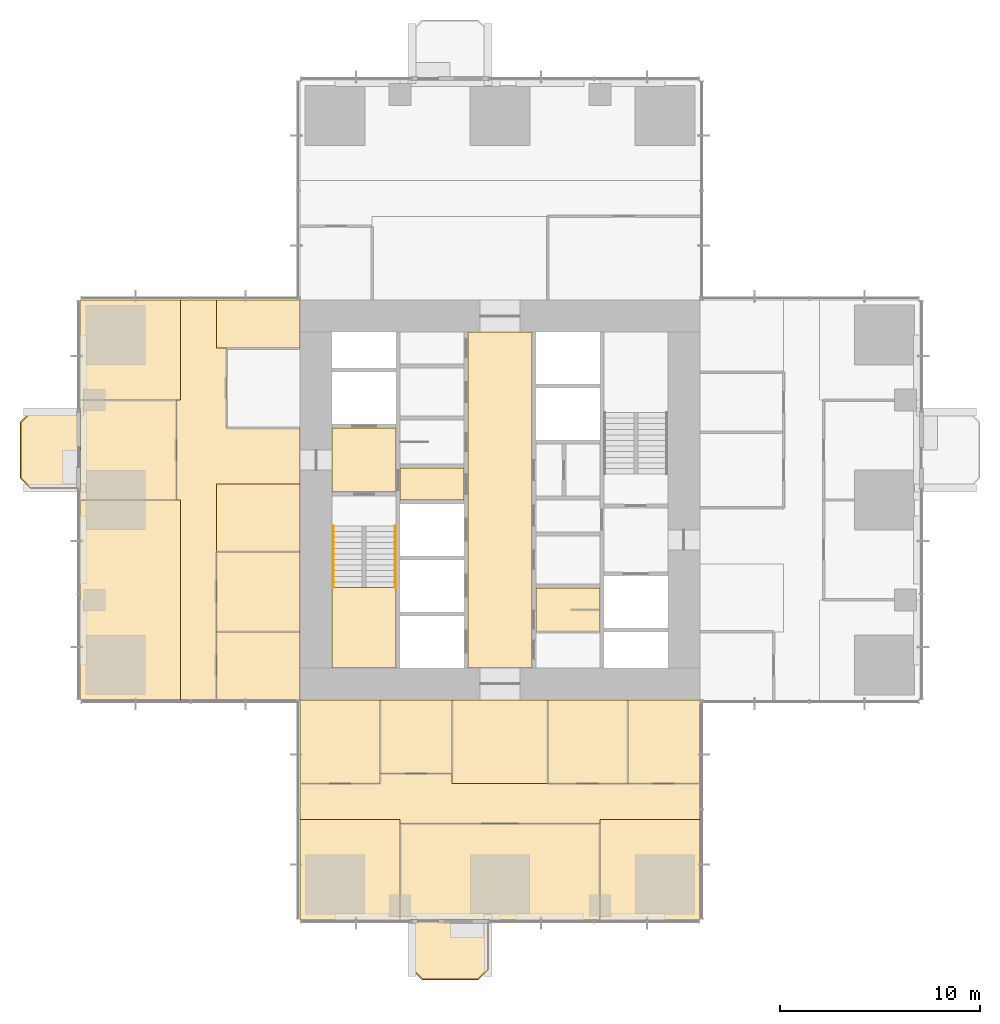
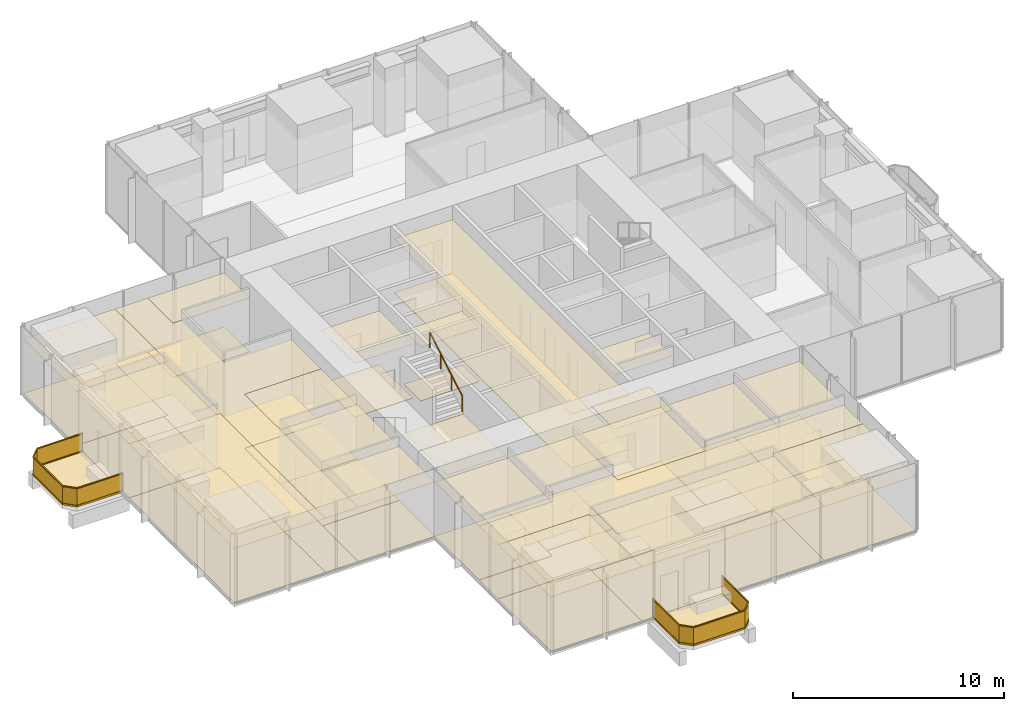
# One storey, part 11 of 13: 45 coverings, 4 railings.
"""IFC4 building model written with IfcOpenShell, lengths in metres."""

from ifc_helpers import new_model, si_unit, direction, frame, origin, origin_2d, place, context, subcontext, project, spatial, polyline, rectangle, circle, outline, extrude, material, layer, layer_set, type_object, element, save


model = new_model("IFC4")

# Units and contexts
model_context = context("Model", 3, precision=1e-05, world=origin(), true_north=direction((0.0, 1.0)))
body_context = subcontext(model_context, "Body", "Model", "MODEL_VIEW")
ifc_project = project(units=[si_unit("LENGTHUNIT", "METRE"), si_unit("AREAUNIT", "SQUARE_METRE"), si_unit("VOLUMEUNIT", "CUBIC_METRE"), si_unit("PLANEANGLEUNIT", "RADIAN"), si_unit("MASSUNIT", "GRAM", prefix="KILO")], contexts=[model_context])

# Site, building, storey
site_placement = place(None, origin())
site = spatial("IfcSite", under=ifc_project, at=site_placement, CompositionType="ELEMENT")
building_placement = place(site_placement, origin())
building = spatial("IfcBuilding", under=site, at=building_placement, Name="Svetlomir Tower", CompositionType="ELEMENT")
storey_placement = place(building_placement, frame((0.0, 0.0, 148.5)))
storey = spatial("IfcBuildingStorey", under=building, at=storey_placement, Name="L35", CompositionType="ELEMENT", Elevation=148.5)

# Railings
ifc_material_1 = material(Name="Bronze anodised aluminium and laminated glass", Category="aluminium")
railing_type_1 = type_object("IfcRailingType", Name="BALCONY GUARD GR1 1100", PredefinedType="GUARDRAIL", material=ifc_material_1)
railing_1_placement = place(storey_placement, frame((16.60009765625, 0.0, 0.0)))
element("IfcRailing", 1, at=railing_1_placement, inside=storey, type_object=railing_type_1, Name="Balcony guard S L35", PredefinedType="GUARDRAIL", context=body_context, shape_type="SweptSolid", body=[
    extrude(rectangle(XDim=0.06005859375, YDim=0.10009765625, at=origin_2d()), frame((0.0, 0.0, 0.050048828125), z_axis=(0.0, -1.0, 0.0), x_axis=(1.0, 0.0, 0.0)), (0.0, 0.0, 1.0), 2.5),
    extrude(rectangle(XDim=0.021484375, YDim=0.960205078125, at=origin_2d()), frame((0.0, 0.0, 0.580078125), z_axis=(0.0, -1.0, 0.0), x_axis=(1.0, 0.0, 0.0)), (0.0, 0.0, 1.0), 2.5),
    extrude(rectangle(XDim=0.06005859375, YDim=0.0400390625, at=origin_2d()), frame((0.0, 0.0, 1.080078125), z_axis=(0.0, -1.0, 0.0), x_axis=(1.0, 0.0, 0.0)), (0.0, 0.0, 1.0), 2.5),
    extrude(rectangle(XDim=0.06005859375, YDim=0.10009765625, at=origin_2d()), frame((0.0, -2.5, 0.050048828125), z_axis=(0.707106781187, -0.707106781187, 0.0), x_axis=(0.707106781187, 0.707106781187, 0.0)), (0.0, 0.0, 1.0), 0.70703125),
    extrude(rectangle(XDim=0.021484375, YDim=0.960205078125, at=origin_2d()), frame((0.0, -2.5, 0.580078125), z_axis=(0.707106781187, -0.707106781187, 0.0), x_axis=(0.707106781187, 0.707106781187, 0.0)), (0.0, 0.0, 1.0), 0.70703125),
    extrude(rectangle(XDim=0.06005859375, YDim=0.0400390625, at=origin_2d()), frame((0.0, -2.5, 1.080078125), z_axis=(0.707106781187, -0.707106781187, 0.0), x_axis=(0.707106781187, 0.707106781187, 0.0)), (0.0, 0.0, 1.0), 0.70703125),
    extrude(rectangle(XDim=0.06005859375, YDim=0.10009765625, at=origin_2d()), frame((0.5, -3.0, 0.050048828125), z_axis=(1.0, 0.0, 0.0), x_axis=(0.0, 1.0, 0.0)), (0.0, 0.0, 1.0), 2.7998046875),
    extrude(rectangle(XDim=0.021484375, YDim=0.960205078125, at=origin_2d()), frame((0.5, -3.0, 0.580078125), z_axis=(1.0, 0.0, 0.0), x_axis=(0.0, 1.0, 0.0)), (0.0, 0.0, 1.0), 2.7998046875),
    extrude(rectangle(XDim=0.06005859375, YDim=0.0400390625, at=origin_2d()), frame((0.5, -3.0, 1.080078125), z_axis=(1.0, 0.0, 0.0), x_axis=(0.0, 1.0, 0.0)), (0.0, 0.0, 1.0), 2.7998046875),
    extrude(rectangle(XDim=0.06005859375, YDim=0.10009765625, at=origin_2d()), frame((3.2998046875, -3.0, 0.050048828125), z_axis=(0.707106781187, 0.707106781187, 0.0), x_axis=(-0.707106781187, 0.707106781187, 0.0)), (0.0, 0.0, 1.0), 0.70703125),
    extrude(rectangle(XDim=0.021484375, YDim=0.960205078125, at=origin_2d()), frame((3.2998046875, -3.0, 0.580078125), z_axis=(0.707106781187, 0.707106781187, 0.0), x_axis=(-0.707106781187, 0.707106781187, 0.0)), (0.0, 0.0, 1.0), 0.70703125),
    extrude(rectangle(XDim=0.06005859375, YDim=0.0400390625, at=origin_2d()), frame((3.2998046875, -3.0, 1.080078125), z_axis=(0.707106781187, 0.707106781187, 0.0), x_axis=(-0.707106781187, 0.707106781187, 0.0)), (0.0, 0.0, 1.0), 0.70703125),
    extrude(rectangle(XDim=0.06005859375, YDim=0.10009765625, at=origin_2d()), frame((3.7998046875, -2.5, 0.050048828125), z_axis=(0.0, 1.0, 0.0), x_axis=(-1.0, 0.0, 0.0)), (0.0, 0.0, 1.0), 2.5),
    extrude(rectangle(XDim=0.021484375, YDim=0.960205078125, at=origin_2d()), frame((3.7998046875, -2.5, 0.580078125), z_axis=(0.0, 1.0, 0.0), x_axis=(-1.0, 0.0, 0.0)), (0.0, 0.0, 1.0), 2.5),
    extrude(rectangle(XDim=0.06005859375, YDim=0.0400390625, at=origin_2d()), frame((3.7998046875, -2.5, 1.080078125), z_axis=(0.0, 1.0, 0.0), x_axis=(-1.0, 0.0, 0.0)), (0.0, 0.0, 1.0), 2.5),
])
railing_2_placement = place(storey_placement, frame((0.0, 25.39990234375, 0.0)))
element("IfcRailing", 2, at=railing_2_placement, inside=storey, type_object=railing_type_1, Name="Balcony guard W L35", PredefinedType="GUARDRAIL", context=body_context, shape_type="SweptSolid", body=[
    extrude(rectangle(XDim=0.06005859375, YDim=0.10009765625, at=origin_2d()), frame((0.0, 0.0, 0.050048828125), z_axis=(-1.0, 0.0, 0.0), x_axis=(0.0, -1.0, 0.0)), (0.0, 0.0, 1.0), 2.5),
    extrude(rectangle(XDim=0.021484375, YDim=0.960205078125, at=origin_2d()), frame((0.0, 0.0, 0.580078125), z_axis=(-1.0, 0.0, 0.0), x_axis=(0.0, -1.0, 0.0)), (0.0, 0.0, 1.0), 2.5),
    extrude(rectangle(XDim=0.06005859375, YDim=0.0400390625, at=origin_2d()), frame((0.0, 0.0, 1.080078125), z_axis=(-1.0, 0.0, 0.0), x_axis=(0.0, -1.0, 0.0)), (0.0, 0.0, 1.0), 2.5),
    extrude(rectangle(XDim=0.06005859375, YDim=0.10009765625, at=origin_2d()), frame((-2.5, 0.0, 0.050048828125), z_axis=(-0.707106781187, -0.707106781187, 0.0), x_axis=(0.707106781187, -0.707106781187, 0.0)), (0.0, 0.0, 1.0), 0.70703125),
    extrude(rectangle(XDim=0.021484375, YDim=0.960205078125, at=origin_2d()), frame((-2.5, 0.0, 0.580078125), z_axis=(-0.707106781187, -0.707106781187, 0.0), x_axis=(0.707106781187, -0.707106781187, 0.0)), (0.0, 0.0, 1.0), 0.70703125),
    extrude(rectangle(XDim=0.06005859375, YDim=0.0400390625, at=origin_2d()), frame((-2.5, 0.0, 1.080078125), z_axis=(-0.707106781187, -0.707106781187, 0.0), x_axis=(0.707106781187, -0.707106781187, 0.0)), (0.0, 0.0, 1.0), 0.70703125),
    extrude(rectangle(XDim=0.06005859375, YDim=0.10009765625, at=origin_2d()), frame((-3.0, -0.5, 0.050048828125), z_axis=(0.0, -1.0, 0.0), x_axis=(1.0, 0.0, 0.0)), (0.0, 0.0, 1.0), 2.7998046875),
    extrude(rectangle(XDim=0.021484375, YDim=0.960205078125, at=origin_2d()), frame((-3.0, -0.5, 0.580078125), z_axis=(0.0, -1.0, 0.0), x_axis=(1.0, 0.0, 0.0)), (0.0, 0.0, 1.0), 2.7998046875),
    extrude(rectangle(XDim=0.06005859375, YDim=0.0400390625, at=origin_2d()), frame((-3.0, -0.5, 1.080078125), z_axis=(0.0, -1.0, 0.0), x_axis=(1.0, 0.0, 0.0)), (0.0, 0.0, 1.0), 2.7998046875),
    extrude(rectangle(XDim=0.06005859375, YDim=0.10009765625, at=origin_2d()), frame((-3.0, -3.2998046875, 0.050048828125), z_axis=(0.707106781187, -0.707106781187, 0.0), x_axis=(0.707106781187, 0.707106781187, 0.0)), (0.0, 0.0, 1.0), 0.70703125),
    extrude(rectangle(XDim=0.021484375, YDim=0.960205078125, at=origin_2d()), frame((-3.0, -3.2998046875, 0.580078125), z_axis=(0.707106781187, -0.707106781187, 0.0), x_axis=(0.707106781187, 0.707106781187, 0.0)), (0.0, 0.0, 1.0), 0.70703125),
    extrude(rectangle(XDim=0.06005859375, YDim=0.0400390625, at=origin_2d()), frame((-3.0, -3.2998046875, 1.080078125), z_axis=(0.707106781187, -0.707106781187, 0.0), x_axis=(0.707106781187, 0.707106781187, 0.0)), (0.0, 0.0, 1.0), 0.70703125),
    extrude(rectangle(XDim=0.06005859375, YDim=0.10009765625, at=origin_2d()), frame((-2.5, -3.7998046875, 0.050048828125), z_axis=(1.0, 0.0, 0.0), x_axis=(0.0, 1.0, 0.0)), (0.0, 0.0, 1.0), 2.5),
    extrude(rectangle(XDim=0.021484375, YDim=0.960205078125, at=origin_2d()), frame((-2.5, -3.7998046875, 0.580078125), z_axis=(1.0, 0.0, 0.0), x_axis=(0.0, 1.0, 0.0)), (0.0, 0.0, 1.0), 2.5),
    extrude(rectangle(XDim=0.06005859375, YDim=0.0400390625, at=origin_2d()), frame((-2.5, -3.7998046875, 1.080078125), z_axis=(1.0, 0.0, 0.0), x_axis=(0.0, 1.0, 0.0)), (0.0, 0.0, 1.0), 2.5),
])

# Coverings
ifc_material_2 = material(Name="Granite paving slabs on pedestals", Category="masonry")
ifc_layer_1 = layer(ifc_material_2, 0.0400390625)
ifc_layer_set_1 = layer_set([ifc_layer_1], Name="Granite paving slabs on pedestals")
covering_type_1 = type_object("IfcCoveringType", Name="BALCONY PAVING 40", PredefinedType="USERDEFINED", material=ifc_layer_set_1)
covering_1_placement = place(storey_placement, origin())
element("IfcCovering", 3, at=covering_1_placement, inside=storey, type_object=covering_type_1, Name="Balcony paving S L35", ObjectType="BALCONY PAVING", PredefinedType="USERDEFINED", context=body_context, shape_type="SweptSolid", body=[
    extrude(outline(polyline([(16.60009765625, -2.5), (17.10009765625, -3.0), (19.89990234375, -3.0), (20.39990234375, -2.5), (20.39990234375, 0.0), (16.60009765625, 0.0), (16.60009765625, -2.5)])), origin(), (0.0, 0.0, 1.0), 0.0400390625),
])
covering_2_placement = place(storey_placement, origin())
element("IfcCovering", 4, at=covering_2_placement, inside=storey, type_object=covering_type_1, Name="Balcony paving W L35", ObjectType="BALCONY PAVING", PredefinedType="USERDEFINED", context=body_context, shape_type="SweptSolid", body=[
    extrude(outline(polyline([(-2.5, 21.60009765625), (0.0, 21.60009765625), (0.0, 25.39990234375), (-2.5, 25.39990234375), (-3.0, 24.89990234375), (-3.0, 22.10009765625), (-2.5, 21.60009765625)])), origin(), (0.0, 0.0, 1.0), 0.0400390625),
])
ifc_material_3 = material(Name="Carpet tile", Category="textile")
ifc_layer_2 = layer(ifc_material_3, 0.010009765625)
ifc_layer_set_2 = layer_set([ifc_layer_2], Name="Carpet tile")
covering_type_2 = type_object("IfcCoveringType", Name="CARPET TILE FLOOR 10", PredefinedType="FLOORING", material=ifc_layer_set_2)
covering_3_placement = place(storey_placement, origin())
element("IfcCovering", 5, at=covering_3_placement, inside=storey, type_object=covering_type_2, Name="Floor finish L35-16", PredefinedType="FLOORING", context=body_context, shape_type="SweptSolid", body=[
    extrude(outline(polyline([(11.0, 6.800048828125), (15.0, 6.800048828125), (15.0, 11.0), (11.0, 11.0), (11.0, 6.800048828125)])), origin(), (0.0, 0.0, 1.0), 0.010009765625),
])
covering_4_placement = place(storey_placement, origin())
element("IfcCovering", 6, at=covering_4_placement, inside=storey, type_object=covering_type_2, Name="Floor finish L35-17", PredefinedType="FLOORING", context=body_context, shape_type="SweptSolid", body=[
    extrude(outline(polyline([(15.0, 7.300048828125), (18.60009765625, 7.300048828125), (18.60009765625, 11.0), (15.0, 11.0), (15.0, 7.300048828125)])), origin(), (0.0, 0.0, 1.0), 0.010009765625),
])
covering_5_placement = place(storey_placement, origin())
element("IfcCovering", 7, at=covering_5_placement, inside=storey, type_object=covering_type_2, Name="Floor finish L35-18", PredefinedType="FLOORING", context=body_context, shape_type="SweptSolid", body=[
    extrude(outline(polyline([(23.39990234375, 6.800048828125), (27.39990234375, 6.800048828125), (27.39990234375, 11.0), (23.39990234375, 11.0), (23.39990234375, 6.800048828125)])), origin(), (0.0, 0.0, 1.0), 0.010009765625),
])
covering_6_placement = place(storey_placement, origin())
element("IfcCovering", 8, at=covering_6_placement, inside=storey, type_object=covering_type_2, Name="Floor finish L35-19", PredefinedType="FLOORING", context=body_context, shape_type="SweptSolid", body=[
    extrude(outline(polyline([(27.39990234375, 6.800048828125), (31.0, 6.800048828125), (31.0, 11.0), (27.39990234375, 11.0), (27.39990234375, 6.800048828125)])), origin(), (0.0, 0.0, 1.0), 0.010009765625),
])
covering_7_placement = place(storey_placement, origin())
element("IfcCovering", 9, at=covering_7_placement, inside=storey, type_object=covering_type_2, Name="Floor finish L35-20", PredefinedType="FLOORING", context=body_context, shape_type="SweptSolid", body=[
    extrude(outline(polyline([(16.0, 0.0), (26.0, 0.0), (26.0, 4.800048828125), (16.0, 4.800048828125), (16.0, 0.0)])), origin(), (0.0, 0.0, 1.0), 0.010009765625),
])
covering_8_placement = place(storey_placement, origin())
element("IfcCovering", 10, at=covering_8_placement, inside=storey, type_object=covering_type_2, Name="Floor finish L35-28", PredefinedType="FLOORING", context=body_context, shape_type="SweptSolid", body=[
    extrude(outline(polyline([(6.800048828125, 11.0), (11.0, 11.0), (11.0, 14.39990234375), (6.800048828125, 14.39990234375), (6.800048828125, 11.0)])), origin(), (0.0, 0.0, 1.0), 0.010009765625),
])
covering_9_placement = place(storey_placement, origin())
element("IfcCovering", 11, at=covering_9_placement, inside=storey, type_object=covering_type_2, Name="Floor finish L35-29", PredefinedType="FLOORING", context=body_context, shape_type="SweptSolid", body=[
    extrude(outline(polyline([(6.800048828125, 14.39990234375), (11.0, 14.39990234375), (11.0, 18.39990234375), (6.800048828125, 18.39990234375), (6.800048828125, 14.39990234375)])), origin(), (0.0, 0.0, 1.0), 0.010009765625),
])
covering_10_placement = place(storey_placement, origin())
element("IfcCovering", 12, at=covering_10_placement, inside=storey, type_object=covering_type_2, Name="Floor finish L35-31", PredefinedType="FLOORING", context=body_context, shape_type="SweptSolid", body=[
    extrude(outline(polyline([(0.0, 21.0), (4.800048828125, 21.0), (4.800048828125, 26.0), (0.0, 26.0), (0.0, 21.0)])), origin(), (0.0, 0.0, 1.0), 0.010009765625),
])
covering_11_placement = place(storey_placement, origin())
element("IfcCovering", 13, at=covering_11_placement, inside=storey, type_object=covering_type_2, Name="Floor finish L35-32", PredefinedType="FLOORING", context=body_context, shape_type="SweptSolid", body=[
    extrude(outline(polyline([(18.60009765625, 7.300048828125), (18.60009765625, 6.800048828125), (31.0, 6.800048828125), (31.0, 5.0), (26.0, 5.0), (26.0, 4.800048828125), (16.0, 4.800048828125), (16.0, 5.0), (11.0, 5.0), (11.0, 6.800048828125), (15.0, 6.800048828125), (15.0, 7.300048828125), (18.60009765625, 7.300048828125)])), origin(), (0.0, 0.0, 1.0), 0.010009765625),
])
covering_12_placement = place(storey_placement, origin())
element("IfcCovering", 14, at=covering_12_placement, inside=storey, type_object=covering_type_2, Name="Floor finish L35-33", PredefinedType="FLOORING", context=body_context, shape_type="SweptSolid", body=[
    extrude(outline(polyline([(6.800048828125, 21.800048828125), (6.800048828125, 11.0), (5.0, 11.0), (5.0, 21.0), (4.800048828125, 21.0), (4.800048828125, 26.0), (5.0, 26.0), (5.0, 31.0), (6.800048828125, 31.0), (6.800048828125, 28.60009765625), (7.300048828125, 28.60009765625), (7.300048828125, 24.60009765625), (11.0, 24.60009765625), (11.0, 21.800048828125), (6.800048828125, 21.800048828125)])), origin(), (0.0, 0.0, 1.0), 0.010009765625),
])
covering_13_placement = place(storey_placement, origin())
element("IfcCovering", 15, at=covering_13_placement, inside=storey, type_object=covering_type_2, Name="Floor finish L35-36", PredefinedType="FLOORING", context=body_context, shape_type="SweptSolid", body=[
    extrude(outline(polyline([(16.0, 5.0), (16.0, 0.0), (11.0, 0.0), (11.0, 5.0), (16.0, 5.0)])), origin(), (0.0, 0.0, 1.0), 0.010009765625),
])
covering_14_placement = place(storey_placement, origin())
element("IfcCovering", 16, at=covering_14_placement, inside=storey, type_object=covering_type_2, Name="Floor finish L35-37", PredefinedType="FLOORING", context=body_context, shape_type="SweptSolid", body=[
    extrude(outline(polyline([(23.39990234375, 11.0), (23.39990234375, 6.800048828125), (18.60009765625, 6.800048828125), (18.60009765625, 11.0), (23.39990234375, 11.0)])), origin(), (0.0, 0.0, 1.0), 0.010009765625),
])
covering_15_placement = place(storey_placement, origin())
element("IfcCovering", 17, at=covering_15_placement, inside=storey, type_object=covering_type_2, Name="Floor finish L35-38", PredefinedType="FLOORING", context=body_context, shape_type="SweptSolid", body=[
    extrude(outline(polyline([(26.0, 0.0), (26.0, 5.0), (31.0, 5.0), (31.0, 0.0), (26.0, 0.0)])), origin(), (0.0, 0.0, 1.0), 0.010009765625),
])
covering_16_placement = place(storey_placement, origin())
element("IfcCovering", 18, at=covering_16_placement, inside=storey, type_object=covering_type_2, Name="Floor finish L35-45", PredefinedType="FLOORING", context=body_context, shape_type="SweptSolid", body=[
    extrude(outline(polyline([(5.0, 26.0), (0.0, 26.0), (0.0, 31.0), (5.0, 31.0), (5.0, 26.0)])), origin(), (0.0, 0.0, 1.0), 0.010009765625),
])
covering_17_placement = place(storey_placement, origin())
element("IfcCovering", 19, at=covering_17_placement, inside=storey, type_object=covering_type_2, Name="Floor finish L35-46", PredefinedType="FLOORING", context=body_context, shape_type="SweptSolid", body=[
    extrude(outline(polyline([(11.0, 28.60009765625), (6.800048828125, 28.60009765625), (6.800048828125, 31.0), (11.0, 31.0), (11.0, 28.60009765625)])), origin(), (0.0, 0.0, 1.0), 0.010009765625),
])
covering_18_placement = place(storey_placement, origin())
element("IfcCovering", 20, at=covering_18_placement, inside=storey, type_object=covering_type_2, Name="Floor finish L35-47", PredefinedType="FLOORING", context=body_context, shape_type="SweptSolid", body=[
    extrude(outline(polyline([(6.800048828125, 18.39990234375), (6.800048828125, 21.800048828125), (11.0, 21.800048828125), (11.0, 18.39990234375), (6.800048828125, 18.39990234375)])), origin(), (0.0, 0.0, 1.0), 0.010009765625),
])
covering_19_placement = place(storey_placement, origin())
element("IfcCovering", 21, at=covering_19_placement, inside=storey, type_object=covering_type_2, Name="Floor finish L35-48", PredefinedType="FLOORING", context=body_context, shape_type="SweptSolid", body=[
    extrude(outline(polyline([(0.0, 21.0), (5.0, 21.0), (5.0, 11.0), (0.0, 11.0), (0.0, 21.0)])), origin(), (0.0, 0.0, 1.0), 0.010009765625),
])
ifc_material_4 = material(Name="Ceramic floor tile", Category="ceramic")
ifc_layer_3 = layer(ifc_material_4, 0.014892578125)
ifc_layer_set_3 = layer_set([ifc_layer_3], Name="Ceramic floor tile")
covering_type_3 = type_object("IfcCoveringType", Name="CERAMIC TILE FLOOR 15", PredefinedType="FLOORING", material=ifc_layer_set_3)
covering_20_placement = place(storey_placement, origin())
element("IfcCovering", 22, at=covering_20_placement, inside=storey, type_object=covering_type_3, Name="Floor finish L35-09", PredefinedType="FLOORING", context=body_context, shape_type="SweptSolid", body=[
    extrude(outline(polyline([(22.800048828125, 14.39990234375), (26.0, 14.39990234375), (26.0, 16.60009765625), (22.800048828125, 16.60009765625), (22.800048828125, 14.39990234375)])), origin(), (0.0, 0.0, 1.0), 0.014892578125),
])

# Railings
ifc_material_5 = material(Name="Stainless steel", Category="steel")
railing_type_2 = type_object("IfcRailingType", Name="HANDRAIL HR1 900", PredefinedType="HANDRAIL", material=ifc_material_5)
railing_3_placement = place(storey_placement, frame((12.64990234375, 19.699951171875, 0.166748046875)))
element("IfcRailing", 23, at=railing_3_placement, inside=storey, type_object=railing_type_2, Name="Handrail S1 flight 1 L35", PredefinedType="HANDRAIL", context=body_context, shape_type="SweptSolid", body=[
    extrude(circle(Radius=0.02392578125, at=origin_2d()), frame((0.0, 0.0, 0.8759765625), z_axis=(0.0, -0.859290745958, 0.51148745235), x_axis=(1.0, 0.0, 0.0)), (0.0, 0.0, 1.0), 3.584228515625),
    extrude(circle(Radius=0.02099609375, at=origin_2d()), origin(), (0.0, 0.0, 1.0), 0.851806640625),
    extrude(circle(Radius=0.02099609375, at=origin_2d()), frame((0.0, -1.026611328125, 0.611083984375)), (0.0, 0.0, 1.0), 0.851806640625),
    extrude(circle(Radius=0.02099609375, at=origin_2d()), frame((0.0, -2.05322265625, 1.22216796875)), (0.0, 0.0, 1.0), 0.851806640625),
    extrude(circle(Radius=0.02099609375, at=origin_2d()), frame((0.0, -3.079833984375, 1.833251953125)), (0.0, 0.0, 1.0), 0.851806640625),
])
railing_4_placement = place(storey_placement, frame((15.75, 16.6201171875, 2.166748046875)))
element("IfcRailing", 24, at=railing_4_placement, inside=storey, type_object=railing_type_2, Name="Handrail S1 flight 2 L35", PredefinedType="HANDRAIL", context=body_context, shape_type="SweptSolid", body=[
    extrude(circle(Radius=0.02392578125, at=origin_2d()), frame((0.0, 0.0, 0.8759765625), z_axis=(0.0, 0.859290745958, 0.51148745235), x_axis=(-1.0, 0.0, 0.0)), (0.0, 0.0, 1.0), 3.584228515625),
    extrude(circle(Radius=0.02099609375, at=origin_2d()), origin(), (0.0, 0.0, 1.0), 0.851806640625),
    extrude(circle(Radius=0.02099609375, at=origin_2d()), frame((0.0, 1.026611328125, 0.611083984375)), (0.0, 0.0, 1.0), 0.851806640625),
    extrude(circle(Radius=0.02099609375, at=origin_2d()), frame((0.0, 2.05322265625, 1.22216796875)), (0.0, 0.0, 1.0), 0.851806640625),
    extrude(circle(Radius=0.02099609375, at=origin_2d()), frame((0.0, 3.079833984375, 1.833251953125)), (0.0, 0.0, 1.0), 0.851806640625),
])

# Coverings
ifc_material_6 = material(Name="Moisture resistant plasterboard ceiling", Category="gypsum")
ifc_layer_4 = layer(ifc_material_6, 0.012451171875)
ifc_layer_set_4 = layer_set([ifc_layer_4], Name="Moisture resistant plasterboard ceiling")
covering_type_4 = type_object("IfcCoveringType", Name="MOISTURE RESISTANT CEILING 12.5", PredefinedType="CEILING", material=ifc_layer_set_4)
covering_21_placement = place(storey_placement, frame((0.0, 0.0, 3.137451171875)))
element("IfcCovering", 25, at=covering_21_placement, inside=storey, type_object=covering_type_4, Name="Ceiling L35-09", PredefinedType="CEILING", context=body_context, shape_type="SweptSolid", body=[
    extrude(outline(polyline([(22.800048828125, 14.39990234375), (26.0, 14.39990234375), (26.0, 16.60009765625), (22.800048828125, 16.60009765625), (22.800048828125, 14.39990234375)])), origin(), (0.0, 0.0, 1.0), 0.012451171875),
])
ifc_material_7 = material(Name="Gypsum plasterboard ceiling", Category="gypsum")
ifc_layer_5 = layer(ifc_material_7, 0.014892578125)
ifc_layer_set_5 = layer_set([ifc_layer_5], Name="Gypsum plasterboard ceiling")
covering_type_5 = type_object("IfcCoveringType", Name="PLASTERBOARD CEILING 15", PredefinedType="CEILING", material=ifc_layer_set_5)
covering_22_placement = place(storey_placement, frame((0.0, 0.0, 3.135009765625)))
element("IfcCovering", 26, at=covering_22_placement, inside=storey, type_object=covering_type_5, Name="Ceiling L35-02", PredefinedType="CEILING", context=body_context, shape_type="SweptSolid", body=[
    extrude(outline(polyline([(12.60009765625, 21.39990234375), (15.800048828125, 21.39990234375), (15.800048828125, 24.60009765625), (12.60009765625, 24.60009765625), (12.60009765625, 21.39990234375)])), origin(), (0.0, 0.0, 1.0), 0.014892578125),
])
covering_23_placement = place(storey_placement, frame((0.0, 0.0, 3.135009765625)))
element("IfcCovering", 27, at=covering_23_placement, inside=storey, type_object=covering_type_5, Name="Ceiling L35-03", PredefinedType="CEILING", context=body_context, shape_type="SweptSolid", body=[
    extrude(outline(polyline([(16.0, 21.0), (19.199951171875, 21.0), (19.199951171875, 22.60009765625), (16.0, 22.60009765625), (16.0, 21.0)])), origin(), (0.0, 0.0, 1.0), 0.014892578125),
])
covering_24_placement = place(storey_placement, frame((0.0, 0.0, 3.135009765625)))
element("IfcCovering", 28, at=covering_24_placement, inside=storey, type_object=covering_type_5, Name="Ceiling L35-07", PredefinedType="CEILING", context=body_context, shape_type="SweptSolid", body=[
    extrude(outline(polyline([(19.39990234375, 12.60009765625), (22.60009765625, 12.60009765625), (22.60009765625, 29.39990234375), (19.39990234375, 29.39990234375), (19.39990234375, 12.60009765625)])), origin(), (0.0, 0.0, 1.0), 0.014892578125),
])
ifc_material_8 = material(Name="Studded rubber floor finish", Category="rubber")
ifc_layer_6 = layer(ifc_material_8, 0.006103515625)
ifc_layer_set_6 = layer_set([ifc_layer_6], Name="Studded rubber floor finish")
covering_type_6 = type_object("IfcCoveringType", Name="RUBBER LANDING FINISH 6", PredefinedType="FLOORING", material=ifc_layer_set_6)
covering_25_placement = place(storey_placement, frame((0.0, 0.0, 2.0)))
element("IfcCovering", 29, at=covering_25_placement, inside=storey, type_object=covering_type_6, Name="Stair S1 landing finish L35", PredefinedType="FLOORING", context=body_context, shape_type="SweptSolid", body=[
    extrude(outline(polyline([(12.60009765625, 12.60009765625), (15.800048828125, 12.60009765625), (15.800048828125, 16.6201171875), (12.60009765625, 16.6201171875), (12.60009765625, 12.60009765625)])), origin(), (0.0, 0.0, 1.0), 0.006103515625),
])
ifc_material_9 = material(Name="Mineral fibre ceiling tile", Category="mineral")
ifc_layer_7 = layer(ifc_material_9, 0.02001953125)
ifc_layer_set_7 = layer_set([ifc_layer_7], Name="Mineral fibre ceiling tile")
covering_type_7 = type_object("IfcCoveringType", Name="SUSPENDED CEILING 20", PredefinedType="CEILING", material=ifc_layer_set_7)
covering_26_placement = place(storey_placement, frame((0.0, 0.0, 3.1298828125)))
element("IfcCovering", 30, at=covering_26_placement, inside=storey, type_object=covering_type_7, Name="Ceiling L35-16", PredefinedType="CEILING", context=body_context, shape_type="SweptSolid", body=[
    extrude(outline(polyline([(11.0, 6.800048828125), (15.0, 6.800048828125), (15.0, 11.0), (11.0, 11.0), (11.0, 6.800048828125)])), origin(), (0.0, 0.0, 1.0), 0.02001953125),
])
covering_27_placement = place(storey_placement, frame((0.0, 0.0, 3.1298828125)))
element("IfcCovering", 31, at=covering_27_placement, inside=storey, type_object=covering_type_7, Name="Ceiling L35-17", PredefinedType="CEILING", context=body_context, shape_type="SweptSolid", body=[
    extrude(outline(polyline([(15.0, 7.300048828125), (18.60009765625, 7.300048828125), (18.60009765625, 11.0), (15.0, 11.0), (15.0, 7.300048828125)])), origin(), (0.0, 0.0, 1.0), 0.02001953125),
])
covering_28_placement = place(storey_placement, frame((0.0, 0.0, 3.1298828125)))
element("IfcCovering", 32, at=covering_28_placement, inside=storey, type_object=covering_type_7, Name="Ceiling L35-18", PredefinedType="CEILING", context=body_context, shape_type="SweptSolid", body=[
    extrude(outline(polyline([(23.39990234375, 6.800048828125), (27.39990234375, 6.800048828125), (27.39990234375, 11.0), (23.39990234375, 11.0), (23.39990234375, 6.800048828125)])), origin(), (0.0, 0.0, 1.0), 0.02001953125),
])
covering_29_placement = place(storey_placement, frame((0.0, 0.0, 3.1298828125)))
element("IfcCovering", 33, at=covering_29_placement, inside=storey, type_object=covering_type_7, Name="Ceiling L35-19", PredefinedType="CEILING", context=body_context, shape_type="SweptSolid", body=[
    extrude(outline(polyline([(27.39990234375, 6.800048828125), (31.0, 6.800048828125), (31.0, 11.0), (27.39990234375, 11.0), (27.39990234375, 6.800048828125)])), origin(), (0.0, 0.0, 1.0), 0.02001953125),
])
covering_30_placement = place(storey_placement, frame((0.0, 0.0, 3.1298828125)))
element("IfcCovering", 34, at=covering_30_placement, inside=storey, type_object=covering_type_7, Name="Ceiling L35-20", PredefinedType="CEILING", context=body_context, shape_type="SweptSolid", body=[
    extrude(outline(polyline([(16.0, 0.0), (26.0, 0.0), (26.0, 4.800048828125), (16.0, 4.800048828125), (16.0, 0.0)])), origin(), (0.0, 0.0, 1.0), 0.02001953125),
])
covering_31_placement = place(storey_placement, frame((0.0, 0.0, 3.1298828125)))
element("IfcCovering", 35, at=covering_31_placement, inside=storey, type_object=covering_type_7, Name="Ceiling L35-28", PredefinedType="CEILING", context=body_context, shape_type="SweptSolid", body=[
    extrude(outline(polyline([(6.800048828125, 11.0), (11.0, 11.0), (11.0, 14.39990234375), (6.800048828125, 14.39990234375), (6.800048828125, 11.0)])), origin(), (0.0, 0.0, 1.0), 0.02001953125),
])
covering_32_placement = place(storey_placement, frame((0.0, 0.0, 3.1298828125)))
element("IfcCovering", 36, at=covering_32_placement, inside=storey, type_object=covering_type_7, Name="Ceiling L35-29", PredefinedType="CEILING", context=body_context, shape_type="SweptSolid", body=[
    extrude(outline(polyline([(6.800048828125, 14.39990234375), (11.0, 14.39990234375), (11.0, 18.39990234375), (6.800048828125, 18.39990234375), (6.800048828125, 14.39990234375)])), origin(), (0.0, 0.0, 1.0), 0.02001953125),
])
covering_33_placement = place(storey_placement, frame((0.0, 0.0, 3.1298828125)))
element("IfcCovering", 37, at=covering_33_placement, inside=storey, type_object=covering_type_7, Name="Ceiling L35-31", PredefinedType="CEILING", context=body_context, shape_type="SweptSolid", body=[
    extrude(outline(polyline([(0.0, 21.0), (4.800048828125, 21.0), (4.800048828125, 26.0), (0.0, 26.0), (0.0, 21.0)])), origin(), (0.0, 0.0, 1.0), 0.02001953125),
])
covering_34_placement = place(storey_placement, frame((0.0, 0.0, 3.1298828125)))
element("IfcCovering", 38, at=covering_34_placement, inside=storey, type_object=covering_type_7, Name="Ceiling L35-32", PredefinedType="CEILING", context=body_context, shape_type="SweptSolid", body=[
    extrude(outline(polyline([(18.60009765625, 7.300048828125), (18.60009765625, 6.800048828125), (31.0, 6.800048828125), (31.0, 5.0), (26.0, 5.0), (26.0, 4.800048828125), (16.0, 4.800048828125), (16.0, 5.0), (11.0, 5.0), (11.0, 6.800048828125), (15.0, 6.800048828125), (15.0, 7.300048828125), (18.60009765625, 7.300048828125)])), origin(), (0.0, 0.0, 1.0), 0.02001953125),
])
covering_35_placement = place(storey_placement, frame((0.0, 0.0, 3.1298828125)))
element("IfcCovering", 39, at=covering_35_placement, inside=storey, type_object=covering_type_7, Name="Ceiling L35-33", PredefinedType="CEILING", context=body_context, shape_type="SweptSolid", body=[
    extrude(outline(polyline([(6.800048828125, 21.800048828125), (6.800048828125, 11.0), (5.0, 11.0), (5.0, 21.0), (4.800048828125, 21.0), (4.800048828125, 26.0), (5.0, 26.0), (5.0, 31.0), (6.800048828125, 31.0), (6.800048828125, 28.60009765625), (7.300048828125, 28.60009765625), (7.300048828125, 24.60009765625), (11.0, 24.60009765625), (11.0, 21.800048828125), (6.800048828125, 21.800048828125)])), origin(), (0.0, 0.0, 1.0), 0.02001953125),
])
covering_36_placement = place(storey_placement, frame((0.0, 0.0, 3.1298828125)))
element("IfcCovering", 40, at=covering_36_placement, inside=storey, type_object=covering_type_7, Name="Ceiling L35-36", PredefinedType="CEILING", context=body_context, shape_type="SweptSolid", body=[
    extrude(outline(polyline([(16.0, 5.0), (16.0, 0.0), (11.0, 0.0), (11.0, 5.0), (16.0, 5.0)])), origin(), (0.0, 0.0, 1.0), 0.02001953125),
])
covering_37_placement = place(storey_placement, frame((0.0, 0.0, 3.1298828125)))
element("IfcCovering", 41, at=covering_37_placement, inside=storey, type_object=covering_type_7, Name="Ceiling L35-37", PredefinedType="CEILING", context=body_context, shape_type="SweptSolid", body=[
    extrude(outline(polyline([(23.39990234375, 11.0), (23.39990234375, 6.800048828125), (18.60009765625, 6.800048828125), (18.60009765625, 11.0), (23.39990234375, 11.0)])), origin(), (0.0, 0.0, 1.0), 0.02001953125),
])
covering_38_placement = place(storey_placement, frame((0.0, 0.0, 3.1298828125)))
element("IfcCovering", 42, at=covering_38_placement, inside=storey, type_object=covering_type_7, Name="Ceiling L35-38", PredefinedType="CEILING", context=body_context, shape_type="SweptSolid", body=[
    extrude(outline(polyline([(26.0, 0.0), (26.0, 5.0), (31.0, 5.0), (31.0, 0.0), (26.0, 0.0)])), origin(), (0.0, 0.0, 1.0), 0.02001953125),
])
covering_39_placement = place(storey_placement, frame((0.0, 0.0, 3.1298828125)))
element("IfcCovering", 43, at=covering_39_placement, inside=storey, type_object=covering_type_7, Name="Ceiling L35-45", PredefinedType="CEILING", context=body_context, shape_type="SweptSolid", body=[
    extrude(outline(polyline([(5.0, 26.0), (0.0, 26.0), (0.0, 31.0), (5.0, 31.0), (5.0, 26.0)])), origin(), (0.0, 0.0, 1.0), 0.02001953125),
])
covering_40_placement = place(storey_placement, frame((0.0, 0.0, 3.1298828125)))
element("IfcCovering", 44, at=covering_40_placement, inside=storey, type_object=covering_type_7, Name="Ceiling L35-46", PredefinedType="CEILING", context=body_context, shape_type="SweptSolid", body=[
    extrude(outline(polyline([(11.0, 28.60009765625), (6.800048828125, 28.60009765625), (6.800048828125, 31.0), (11.0, 31.0), (11.0, 28.60009765625)])), origin(), (0.0, 0.0, 1.0), 0.02001953125),
])
covering_41_placement = place(storey_placement, frame((0.0, 0.0, 3.1298828125)))
element("IfcCovering", 45, at=covering_41_placement, inside=storey, type_object=covering_type_7, Name="Ceiling L35-47", PredefinedType="CEILING", context=body_context, shape_type="SweptSolid", body=[
    extrude(outline(polyline([(6.800048828125, 18.39990234375), (6.800048828125, 21.800048828125), (11.0, 21.800048828125), (11.0, 18.39990234375), (6.800048828125, 18.39990234375)])), origin(), (0.0, 0.0, 1.0), 0.02001953125),
])
covering_42_placement = place(storey_placement, frame((0.0, 0.0, 3.1298828125)))
element("IfcCovering", 46, at=covering_42_placement, inside=storey, type_object=covering_type_7, Name="Ceiling L35-48", PredefinedType="CEILING", context=body_context, shape_type="SweptSolid", body=[
    extrude(outline(polyline([(0.0, 21.0), (5.0, 21.0), (5.0, 11.0), (0.0, 11.0), (0.0, 21.0)])), origin(), (0.0, 0.0, 1.0), 0.02001953125),
])
ifc_material_10 = material(Name="Bronze-aggregate terrazzo", Category="stone")
ifc_layer_8 = layer(ifc_material_10, 0.030029296875)
ifc_layer_set_8 = layer_set([ifc_layer_8], Name="Bronze-aggregate terrazzo")
covering_type_8 = type_object("IfcCoveringType", Name="TERRAZZO FLOOR 30", PredefinedType="FLOORING", material=ifc_layer_set_8)
covering_43_placement = place(storey_placement, origin())
element("IfcCovering", 47, at=covering_43_placement, inside=storey, type_object=covering_type_8, Name="Floor finish L35-02", PredefinedType="FLOORING", context=body_context, shape_type="SweptSolid", body=[
    extrude(outline(polyline([(12.60009765625, 21.39990234375), (15.800048828125, 21.39990234375), (15.800048828125, 24.60009765625), (12.60009765625, 24.60009765625), (12.60009765625, 21.39990234375)])), origin(), (0.0, 0.0, 1.0), 0.030029296875),
])
covering_44_placement = place(storey_placement, origin())
element("IfcCovering", 48, at=covering_44_placement, inside=storey, type_object=covering_type_8, Name="Floor finish L35-03", PredefinedType="FLOORING", context=body_context, shape_type="SweptSolid", body=[
    extrude(outline(polyline([(16.0, 21.0), (19.199951171875, 21.0), (19.199951171875, 22.60009765625), (16.0, 22.60009765625), (16.0, 21.0)])), origin(), (0.0, 0.0, 1.0), 0.030029296875),
])
covering_45_placement = place(storey_placement, origin())
element("IfcCovering", 49, at=covering_45_placement, inside=storey, type_object=covering_type_8, Name="Floor finish L35-07", PredefinedType="FLOORING", context=body_context, shape_type="SweptSolid", body=[
    extrude(outline(polyline([(19.39990234375, 12.60009765625), (22.60009765625, 12.60009765625), (22.60009765625, 29.39990234375), (19.39990234375, 29.39990234375), (19.39990234375, 12.60009765625)])), origin(), (0.0, 0.0, 1.0), 0.030029296875),
])

save(model, "model.ifc")
